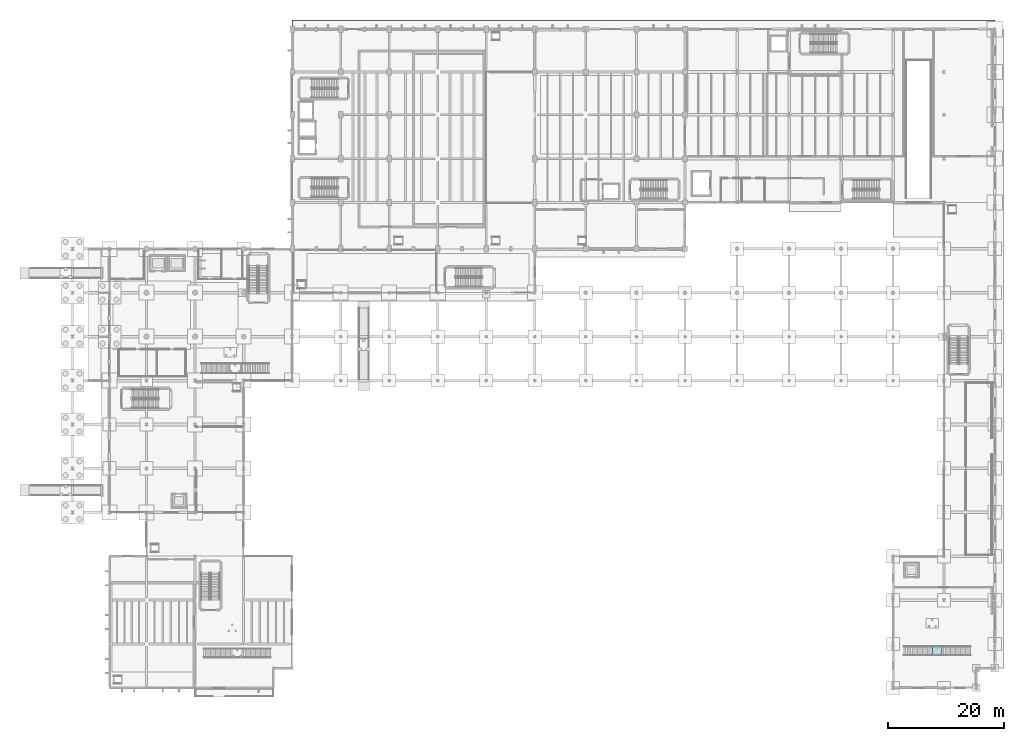
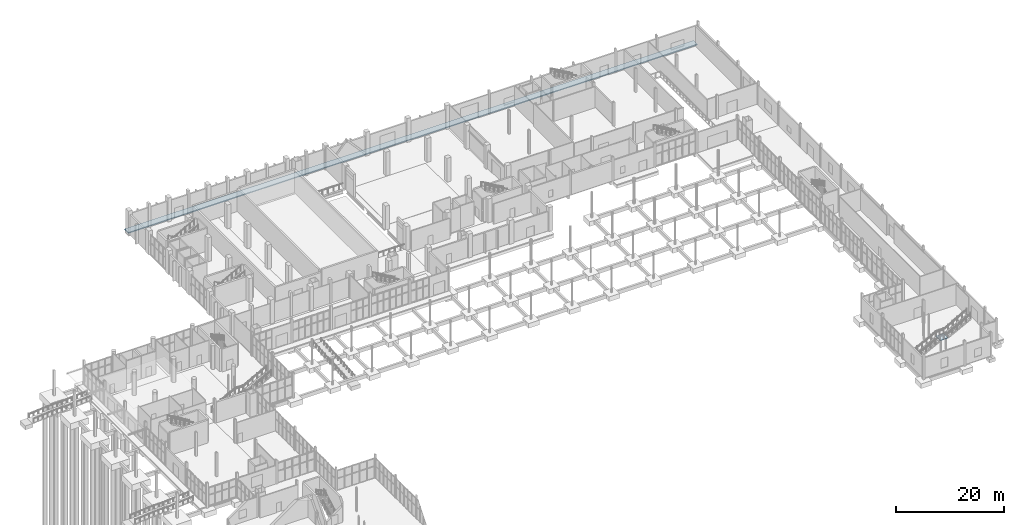
# One storey, part 65 of 95: 2 slabs, 1 element without a shape of its own.
"""IFC4 building model written with IfcOpenShell, lengths in metres."""

from ifc_helpers import new_model, si_unit, direction, frame, origin, place, context, subcontext, project, spatial, polyline, outline, extrude, material, layer, layer_set, type_object, element, aggregate, save


model = new_model("IFC4")

# Units and contexts
model_context = context("Model", 3, precision=1e-05, world=origin(), true_north=direction((0.0, 1.0)))
body_context = subcontext(model_context, "Body", "Model", "MODEL_VIEW")
ifc_project = project(units=[si_unit("LENGTHUNIT", "METRE"), si_unit("AREAUNIT", "SQUARE_METRE"), si_unit("VOLUMEUNIT", "CUBIC_METRE"), si_unit("PLANEANGLEUNIT", "RADIAN"), si_unit("MASSUNIT", "GRAM", prefix="KILO")], contexts=[model_context])

# Site, building, storey
site_placement = place(None, origin())
site = spatial("IfcSite", under=ifc_project, at=site_placement, CompositionType="ELEMENT")
building_placement = place(site_placement, origin())
building = spatial("IfcBuilding", under=site, at=building_placement, Name="Shengluoqiao Park Theatre", CompositionType="ELEMENT")
storey_placement = place(building_placement, origin())
storey = spatial("IfcBuildingStorey", under=building, at=storey_placement, Name="L00", CompositionType="ELEMENT", Elevation=0.0)

# Slab
ifc_material_1 = material(Name="Concrete C40", Category="concrete")
ifc_layer_1 = layer(ifc_material_1, 0.219970703125, Name="Concrete C40")
ifc_layer_set_1 = layer_set([ifc_layer_1], Name="Concrete C40")
slab_type_1 = type_object("IfcSlabType", Name="ENV-SLB-APRON", PredefinedType="BASESLAB", material=ifc_layer_set_1)
slab_1_placement = place(storey_placement, frame((0.0, 0.0, -0.219970703125)))
element("IfcSlab", 1, at=slab_1_placement, inside=storey, type_object=slab_type_1, Name="Exterior Threshold Apron APR-NTH-AUD", PredefinedType="BASESLAB", context=body_context, shape_type="SweptSolid", body=[
    extrude(outline(polyline([(44.39990234375, 114.199951171875), (166.0, 114.199951171875), (166.0, 115.60009765625), (44.39990234375, 115.60009765625), (44.39990234375, 114.199951171875)])), origin(), (0.0, 0.0, 1.0), 0.219970703125),
])

# Stair, slab
ifc_material_2 = material(Name="Steel Q355", Category="steel")
stair_type = type_object("IfcStairType", Name="INT-STR-ST-F160", PredefinedType="STRAIGHT_RUN_STAIR", material=ifc_material_2)
stair_placement = place(storey_placement, origin())
stair = element("IfcStair", 2, at=stair_placement, inside=storey, type_object=stair_type, Name="East Artist Wing Stair 09", PredefinedType="STRAIGHT_RUN_STAIR")
ifc_layer_2 = layer(ifc_material_1, 0.169921875, Name="Concrete C40")
ifc_layer_set_2 = layer_set([ifc_layer_2], Name="Concrete C40")
slab_type_2 = type_object("IfcSlabType", Name="INT-LND-SL-170", PredefinedType="LANDING", material=ifc_layer_set_2)
slab_2_placement = place(storey_placement, frame((0.0, 0.0, 2.530029296875)))
slab_2 = element("IfcSlab", 3, at=slab_2_placement, type_object=slab_type_2, Name="ST-09 landing 1", PredefinedType="LANDING", context=body_context, shape_type="SweptSolid", body=[
    extrude(outline(polyline([(155.22998046875, 5.60009765625), (156.8798828125, 5.60009765625), (156.8798828125, 7.199951171875), (155.22998046875, 7.199951171875), (155.22998046875, 5.60009765625)])), origin(), (0.0, 0.0, 1.0), 0.169921875),
])
aggregate(stair, [slab_2])

save(model, "model.ifc")
